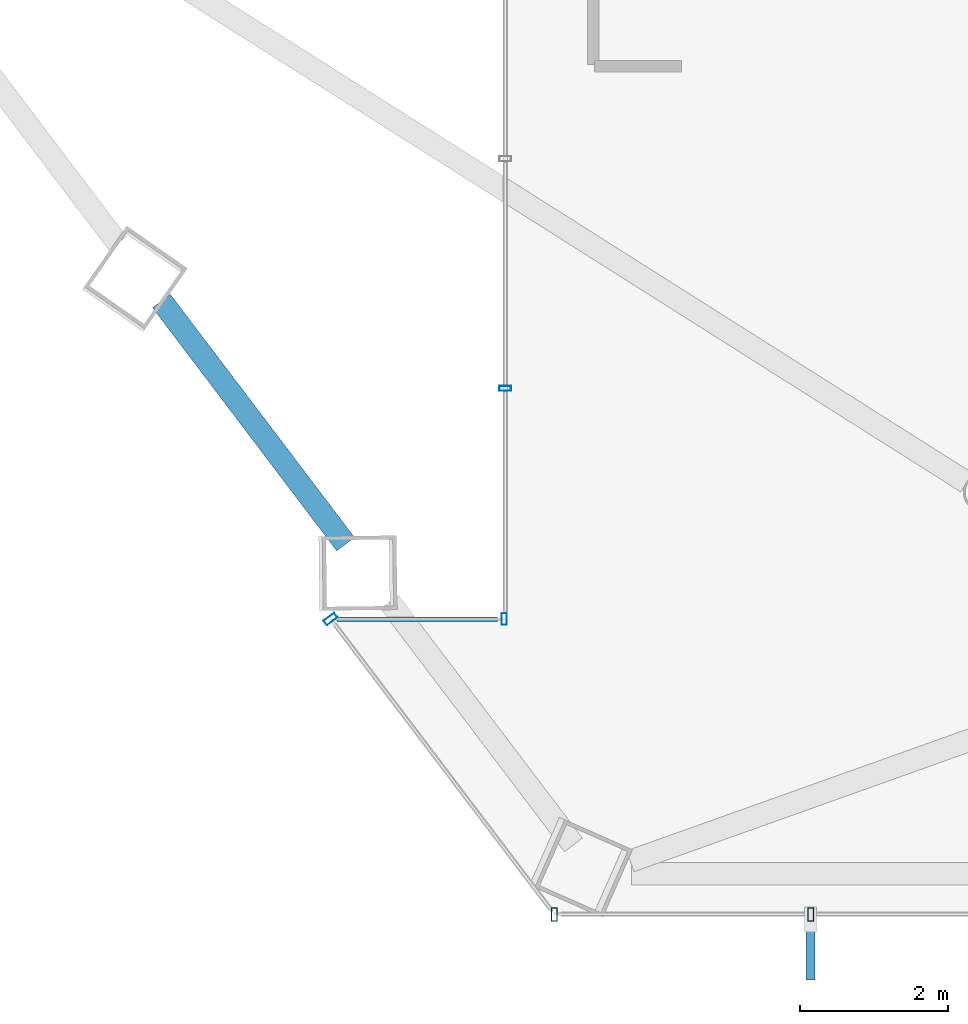
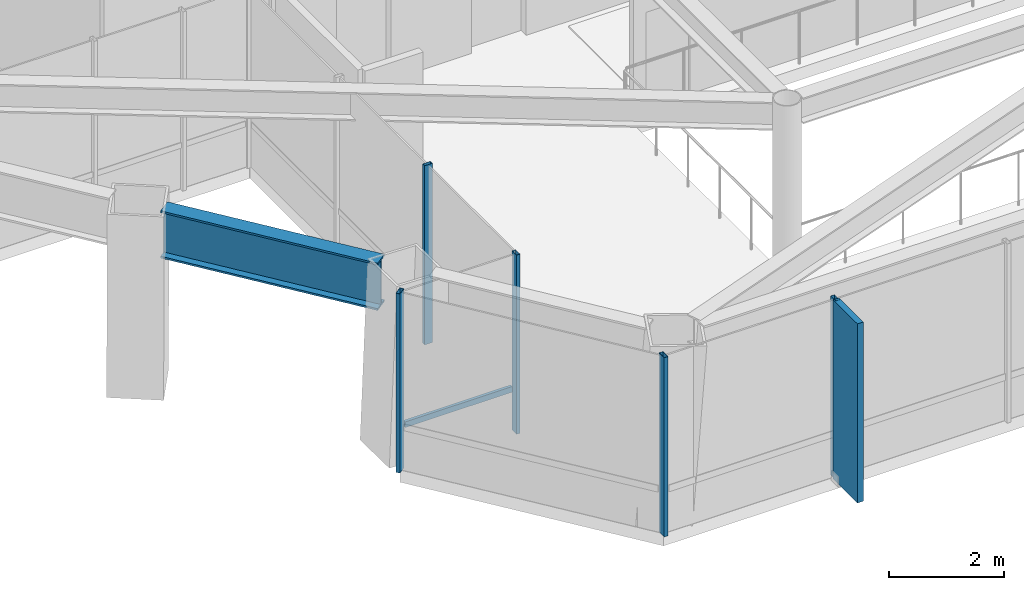
# One storey, part 2 of 24: 7 members, 1 beam, 4 elements without a shape of their own.
"""IFC4 building model written with IfcOpenShell, lengths in metres."""

from ifc_helpers import new_model, si_unit, direction, frame, origin, origin_2d, place, context, subcontext, project, spatial, rectangle, hollow_rectangle, i_section, extrude, material, layer, layer_set, material_profile, profile_set, type_object, element, aggregate, save


model = new_model("IFC4")

# Units and contexts
model_context = context("Model", 3, precision=1e-05, world=origin(), true_north=direction((0.0, 1.0)))
body_context = subcontext(model_context, "Body", "Model", "MODEL_VIEW")
ifc_project = project(units=[si_unit("LENGTHUNIT", "METRE"), si_unit("AREAUNIT", "SQUARE_METRE"), si_unit("VOLUMEUNIT", "CUBIC_METRE"), si_unit("PLANEANGLEUNIT", "RADIAN"), si_unit("MASSUNIT", "GRAM", prefix="KILO")], contexts=[model_context])

# Site, building, storey
site_placement = place(None, origin())
site = spatial("IfcSite", under=ifc_project, at=site_placement, CompositionType="ELEMENT")
building_placement = place(site_placement, origin())
building = spatial("IfcBuilding", under=site, at=building_placement, Name="Zarrinselat Tower", CompositionType="ELEMENT")
storey_placement = place(building_placement, frame((0.0, 0.0, 68.340087890625)))
storey = spatial("IfcBuildingStorey", under=building, at=storey_placement, Name="L16", CompositionType="ELEMENT", Elevation=68.340087890625)

# Beam
ifc_material_1 = material(Name="Steel S460M", Category="steel")
ifc_material_profile_1 = material_profile(ifc_material_1, i_section(OverallWidth=0.302001953125, OverallDepth=1.008056640625, WebThickness=0.02099609375, FlangeThickness=0.0400390625, at=origin_2d()), Name="HEM 1000")
ifc_profile_set_1 = profile_set([ifc_material_profile_1], Name="Steel S460M")
beam_type = type_object("IfcBeamType", Name="BM-HEM1000", PredefinedType="BEAM", material=ifc_profile_set_1)
beam_placement = place(storey_placement, frame((22.72412109375, 26.98193359375, 3.31591796875), z_axis=(0.60385654571, -0.797093013521, 0.0), x_axis=(0.797093013521, 0.60385654571, 0.0)))
element("IfcBeam", 1, at=beam_placement, inside=storey, type_object=beam_type, Name="L16 Perimeter Spandrel Girder SP08", PredefinedType="BEAM", context=body_context, shape_type="SweptSolid", body=[
    extrude(i_section(OverallWidth=0.302001953125, OverallDepth=1.008056640625, WebThickness=0.02099609375, FlangeThickness=0.0400390625, at=origin_2d()), origin(), (0.0, 0.0, 1.0), 4.114990234375),
])

# Curtain wall, members
ifc_material_2 = material(Name="Extruded Aluminium Alloy EN AW-6063 T6", Category="aluminium")
ifc_layer_1 = layer(ifc_material_2, 0.18505859375)
ifc_layer_set_1 = layer_set([ifc_layer_1], Name="Extruded Aluminium Alloy EN AW-6063 T6")
curtain_wall_type_1 = type_object("IfcCurtainWallType", Name="CWS-OFF", PredefinedType="NOTDEFINED", material=ifc_layer_set_1)
curtain_wall_1_placement = place(storey_placement, origin())
curtain_wall_1 = element("IfcCurtainWall", 2, at=curtain_wall_1_placement, inside=storey, type_object=curtain_wall_type_1, Name="L16 Unitised Curtain Wall CW-L16-E05", PredefinedType="NOTDEFINED")
ifc_material_3 = material(Name="Extruded Aluminium Alloy EN AW-6063 T6", Category="aluminium")
ifc_material_profile_2 = material_profile(ifc_material_3, hollow_rectangle(XDim=0.080078125, YDim=0.179931640625, WallThickness=0.0048828125, at=origin_2d()), Name="RHS 180x80x5")
ifc_profile_set_2 = profile_set([ifc_material_profile_2], Name="Extruded Aluminium Alloy EN AW-6063 T6")
member_type_1 = type_object("IfcMemberType", Name="MEM-CW-MUL", PredefinedType="MULLION", material=ifc_profile_set_2)
member_1_placement = place(storey_placement, frame((31.483154296875, 18.70654296875, 0.0), z_axis=(0.0, 0.0, 1.0), x_axis=(-1.0, 0.0, 0.0)))
member_1 = element("IfcMember", 3, at=member_1_placement, type_object=member_type_1, Name="CW-L16-E05 Mullion 5", PredefinedType="MULLION", context=body_context, shape_type="SweptSolid", body=[
    extrude(hollow_rectangle(XDim=0.080078125, YDim=0.179931640625, WallThickness=0.0048828125, at=origin_2d()), origin(), (0.0, 0.0, 1.0), 3.81982421875),
])
member_2_placement = place(storey_placement, frame((28.024658203125, 18.70654296875, 0.0), z_axis=(0.0, 0.0, 1.0), x_axis=(-1.0, 0.0, 0.0)))
member_2 = element("IfcMember", 4, at=member_2_placement, type_object=member_type_1, Name="CW-L16-E05 Mullion 6", PredefinedType="MULLION", context=body_context, shape_type="SweptSolid", body=[
    extrude(hollow_rectangle(XDim=0.080078125, YDim=0.179931640625, WallThickness=0.0048828125, at=origin_2d()), origin(), (0.0, 0.0, 1.0), 3.81982421875),
])

# Curtain wall, member
curtain_wall_2_placement = place(storey_placement, origin())
curtain_wall_2 = element("IfcCurtainWall", 5, at=curtain_wall_2_placement, inside=storey, type_object=curtain_wall_type_1, Name="L16 Unitised Curtain Wall CW-L16-E06", PredefinedType="NOTDEFINED")
member_3_placement = place(storey_placement, frame((25.005859375, 22.69140625, 0.0), z_axis=(0.0, 0.0, 1.0), x_axis=(-0.603858899441, 0.797091230391, 0.0)))
member_3 = element("IfcMember", 6, at=member_3_placement, type_object=member_type_1, Name="CW-L16-E06 Mullion 1", PredefinedType="MULLION", context=body_context, shape_type="SweptSolid", body=[
    extrude(hollow_rectangle(XDim=0.080078125, YDim=0.179931640625, WallThickness=0.0048828125, at=origin_2d()), origin(), (0.0, 0.0, 1.0), 3.81982421875),
])
aggregate(curtain_wall_2, [member_3])

ifc_material_4 = material(Name="Extruded Aluminium Alloy EN AW-6063 T6", Category="aluminium")
ifc_layer_2 = layer(ifc_material_4, 0.18994140625)
ifc_layer_set_2 = layer_set([ifc_layer_2], Name="Extruded Aluminium Alloy EN AW-6063 T6")
curtain_wall_type_2 = type_object("IfcCurtainWallType", Name="CWS-SG", PredefinedType="NOTDEFINED", material=ifc_layer_set_2)
curtain_wall_3_placement = place(storey_placement, origin())
curtain_wall_3 = element("IfcCurtainWall", 7, at=curtain_wall_3_placement, inside=storey, type_object=curtain_wall_type_2, Name="L16 Unitised Curtain Wall CW-L16-E07", PredefinedType="NOTDEFINED")
ifc_material_5 = material(Name="Extruded Aluminium Alloy EN AW-6063 T6", Category="aluminium")
ifc_material_profile_3 = material_profile(ifc_material_5, hollow_rectangle(XDim=0.070068359375, YDim=0.159912109375, WallThickness=0.00390625, at=origin_2d()), Name="RHS 160x70x4")
ifc_profile_set_3 = profile_set([ifc_material_profile_3], Name="Extruded Aluminium Alloy EN AW-6063 T6")
member_type_2 = type_object("IfcMemberType", Name="MEM-CW-MUL2", PredefinedType="MULLION", material=ifc_profile_set_3)
member_4_placement = place(storey_placement, frame((27.3486328125, 22.69140625, 0.0), z_axis=(0.0, 0.0, 1.0), x_axis=(1.0, 0.0, 0.0)))
member_4 = element("IfcMember", 8, at=member_4_placement, type_object=member_type_2, Name="CW-L16-E07 Mullion 1", PredefinedType="MULLION", context=body_context, shape_type="SweptSolid", body=[
    extrude(hollow_rectangle(XDim=0.070068359375, YDim=0.159912109375, WallThickness=0.00390625, at=origin_2d()), origin(), (0.0, 0.0, 1.0), 3.81982421875),
])

curtain_wall_4_placement = place(storey_placement, origin())
curtain_wall_4 = element("IfcCurtainWall", 9, at=curtain_wall_4_placement, inside=storey, type_object=curtain_wall_type_2, Name="L16 Unitised Curtain Wall CW-L16-E24", PredefinedType="NOTDEFINED")
member_5_placement = place(storey_placement, frame((27.363525390625, 25.80419921875, 0.0), z_axis=(0.0, 0.0, 1.0), x_axis=(0.0, 1.0, 0.0)))
member_5 = element("IfcMember", 10, at=member_5_placement, type_object=member_type_2, Name="CW-L16-E24 Mullion 1", PredefinedType="MULLION", context=body_context, shape_type="SweptSolid", body=[
    extrude(hollow_rectangle(XDim=0.070068359375, YDim=0.159912109375, WallThickness=0.00390625, at=origin_2d()), origin(), (0.0, 0.0, 1.0), 3.81982421875),
])
aggregate(curtain_wall_4, [member_5])

# Member
ifc_material_6 = material(Name="Extruded Aluminium Alloy EN AW-6063 T6", Category="aluminium")
ifc_material_profile_4 = material_profile(ifc_material_6, hollow_rectangle(XDim=0.06005859375, YDim=0.1201171875, WallThickness=0.00390625, at=origin_2d()), Name="RHS 120x60x4")
ifc_profile_set_4 = profile_set([ifc_material_profile_4], Name="Extruded Aluminium Alloy EN AW-6063 T6")
member_type_3 = type_object("IfcMemberType", Name="MEM-CW-TRN2", PredefinedType="USERDEFINED", material=ifc_profile_set_4)
member_6_placement = place(storey_placement, frame((25.095703125, 22.69140625, 0.949951171875), z_axis=(1.0, 0.0, 0.0), x_axis=(0.0, 1.0, 0.0)))
member_6 = element("IfcMember", 11, at=member_6_placement, type_object=member_type_3, Name="CW-L16-E07 Transom 1", ObjectType="TRANSOM", PredefinedType="USERDEFINED", context=body_context, shape_type="SweptSolid", body=[
    extrude(hollow_rectangle(XDim=0.06005859375, YDim=0.1201171875, WallThickness=0.00390625, at=origin_2d()), origin(), (0.0, 0.0, 1.0), 2.162841796875),
])

aggregate(curtain_wall_3, [member_4, member_6])

ifc_material_7 = material(Name="Honed Cream Travertine Stone", Category="masonry")
ifc_material_profile_5 = material_profile(ifc_material_7, rectangle(XDim=0.1201171875, YDim=0.85009765625, at=origin_2d()), Name="FIN 850x120")
ifc_profile_set_5 = profile_set([ifc_material_profile_5], Name="Honed Cream Travertine Stone")
member_type_4 = type_object("IfcMemberType", Name="MEM-STONE-FIN", PredefinedType="USERDEFINED", material=ifc_profile_set_5)
member_7_placement = place(storey_placement, frame((31.483154296875, 18.24658203125, 0.0), z_axis=(0.0, 0.0, 1.0), x_axis=(-1.0, 0.0, 0.0)))
member_7 = element("IfcMember", 12, at=member_7_placement, type_object=member_type_4, Name="L16 Stone Shading Fin CW-L16-E05-05", ObjectType="FIN", PredefinedType="USERDEFINED", context=body_context, shape_type="SweptSolid", body=[
    extrude(rectangle(XDim=0.1201171875, YDim=0.85009765625, at=origin_2d()), origin(), (0.0, 0.0, 1.0), 3.81982421875),
])

aggregate(curtain_wall_1, [member_1, member_7, member_2])

save(model, "model.ifc")
